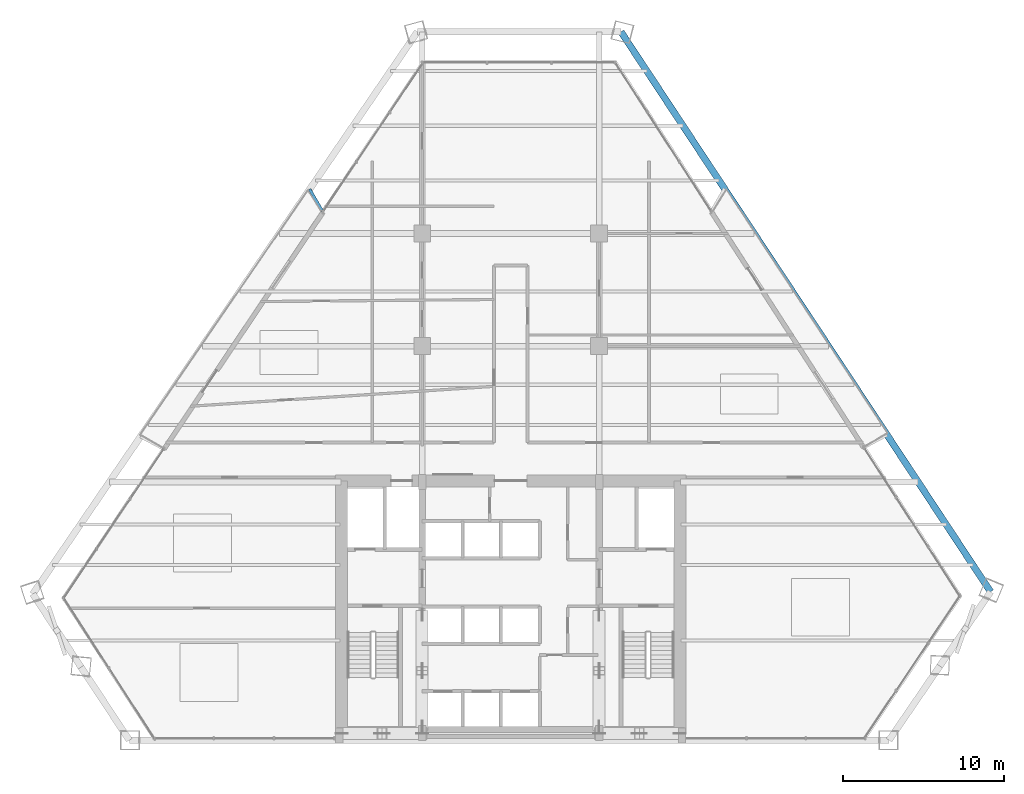
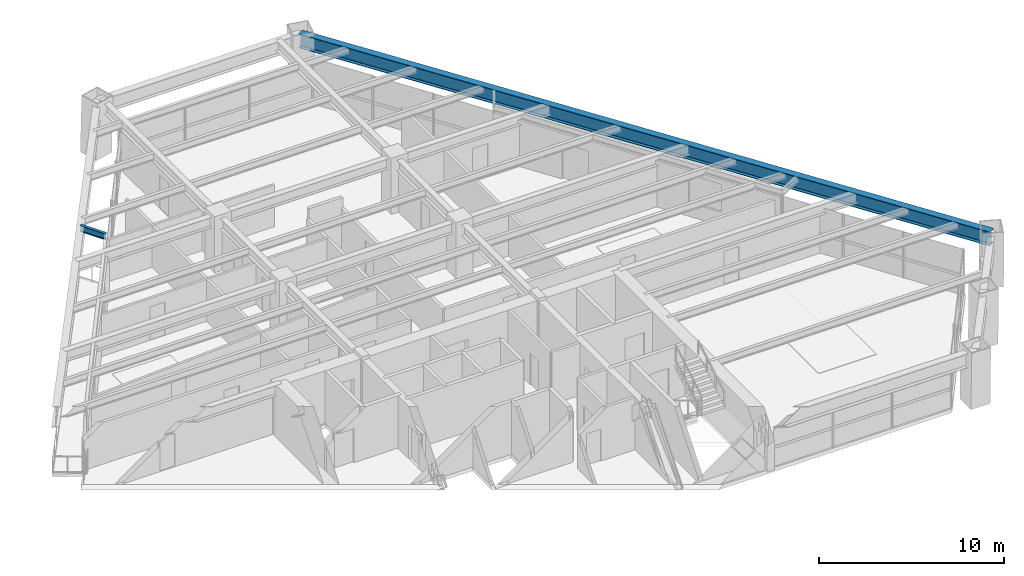
# One storey, part 7 of 14: 2 beams.
"""IFC4 building model written with IfcOpenShell, lengths in metres."""

from ifc_helpers import new_model, si_unit, direction, frame, origin, origin_2d, place, context, subcontext, project, spatial, i_section, extrude, source, transform, mapped, material, material_profile, profile_set, type_object, element, save


model = new_model("IFC4")

# Units and contexts
model_context = context("Model", 3, precision=1e-05, world=origin(), true_north=direction((0.0, 1.0)))
body_context = subcontext(model_context, "Body", "Model", "MODEL_VIEW")
ifc_project = project(units=[si_unit("LENGTHUNIT", "METRE"), si_unit("AREAUNIT", "SQUARE_METRE"), si_unit("VOLUMEUNIT", "CUBIC_METRE"), si_unit("PLANEANGLEUNIT", "RADIAN"), si_unit("MASSUNIT", "GRAM", prefix="KILO")], contexts=[model_context])

# Site, building, storey
site_placement = place(None, origin())
site = spatial("IfcSite", under=ifc_project, at=site_placement, CompositionType="ELEMENT")
building_placement = place(site_placement, origin())
building = spatial("IfcBuilding", under=site, at=building_placement, Name="Varnakhor Terracotta Tower", CompositionType="ELEMENT")
storey_placement = place(building_placement, frame((0.0, 0.0, 98.800048828125)))
storey = spatial("IfcBuildingStorey", under=building, at=storey_placement, Name="L24", CompositionType="ELEMENT", Elevation=98.800048828125)

# Beams
ifc_material = material(Name="Steel S355", Category="steel")
ifc_material_profile_1 = material_profile(ifc_material, i_section(OverallWidth=0.41796875, OverallDepth=0.927001953125, WebThickness=0.01904296875, FlangeThickness=0.031982421875, FilletRadius=0.01806640625, at=origin_2d()), Name="W36X231")
ifc_profile_set_1 = profile_set([ifc_material_profile_1], Name="Steel S355")
beam_type_1 = type_object("IfcBeamType", Name="BM-W36X231", PredefinedType="BEAM", material=ifc_profile_set_1)
shared_shape_1 = source(origin(), body_context, "Body", "SweptSolid", [
    extrude(i_section(OverallWidth=0.41796875, OverallDepth=0.927001953125, WebThickness=0.01904296875, FlangeThickness=0.031982421875, FilletRadius=0.01806640625, at=origin_2d()), origin(), (0.0, 0.0, 1.0), 41.71484375),
])
beam_1_placement = place(storey_placement, frame((29.8369140625, 9.226318359375, 2.986572265625), z_axis=(-0.550872131521, 0.834589656486, 0.0), x_axis=(-0.834589656486, -0.550872131521, 0.0)))
element("IfcBeam", 1, at=beam_1_placement, inside=storey, type_object=beam_type_1, Name="L24 Perimeter Spandrel 4", PredefinedType="BEAM", context=body_context, shape_type="MappedRepresentation", body=[
    mapped(shared_shape_1, transform((0.0, 0.0, 0.0), scale=1.0)),
])
ifc_material_profile_2 = material_profile(ifc_material, i_section(OverallWidth=0.179931640625, OverallDepth=0.39990234375, WebThickness=0.008544921875, FlangeThickness=0.013427734375, FilletRadius=0.01806640625, at=origin_2d()), Name="IPE400")
ifc_profile_set_2 = profile_set([ifc_material_profile_2], Name="Steel S355")
beam_type_2 = type_object("IfcBeamType", Name="JST-IPE400", PredefinedType="JOIST", material=ifc_profile_set_2)
shared_shape_2 = source(origin(), body_context, "Body", "SweptSolid", [
    extrude(i_section(OverallWidth=0.179931640625, OverallDepth=0.39990234375, WebThickness=0.008544921875, FlangeThickness=0.013427734375, FilletRadius=0.01806640625, at=origin_2d()), origin(), (0.0, 0.0, 1.0), 1.58837890625),
])
beam_2_placement = place(storey_placement, frame((-11.70361328125, 32.876708984375, 3.25), z_axis=(-0.497578455797, 0.867418976232, 0.0), x_axis=(-0.867418976232, -0.497578455797, 0.0)))
element("IfcBeam", 2, at=beam_2_placement, inside=storey, type_object=beam_type_2, Name="L25 W Loggia Tie Beam 2", PredefinedType="JOIST", context=body_context, shape_type="MappedRepresentation", body=[
    mapped(shared_shape_2, transform((0.0, 0.0, 0.0), scale=1.0)),
])

save(model, "model.ifc")
